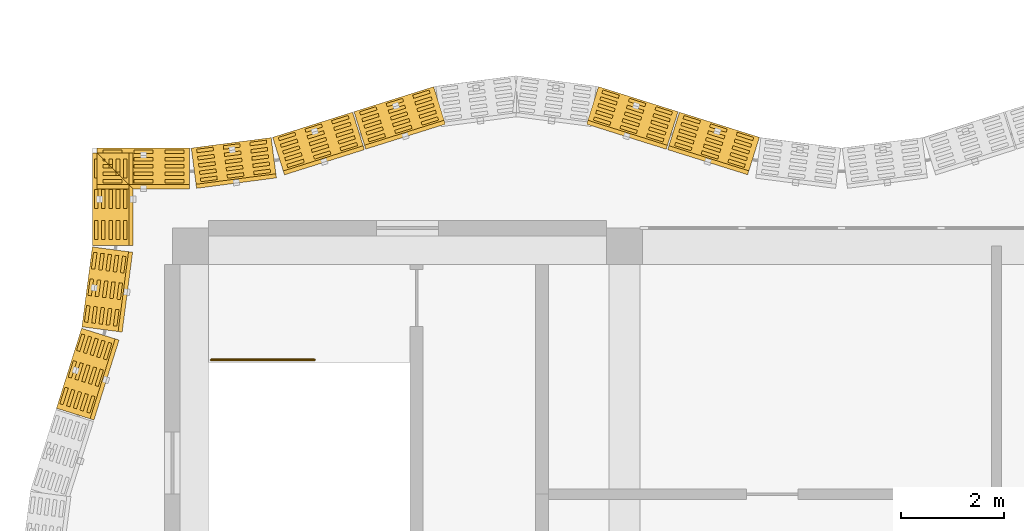
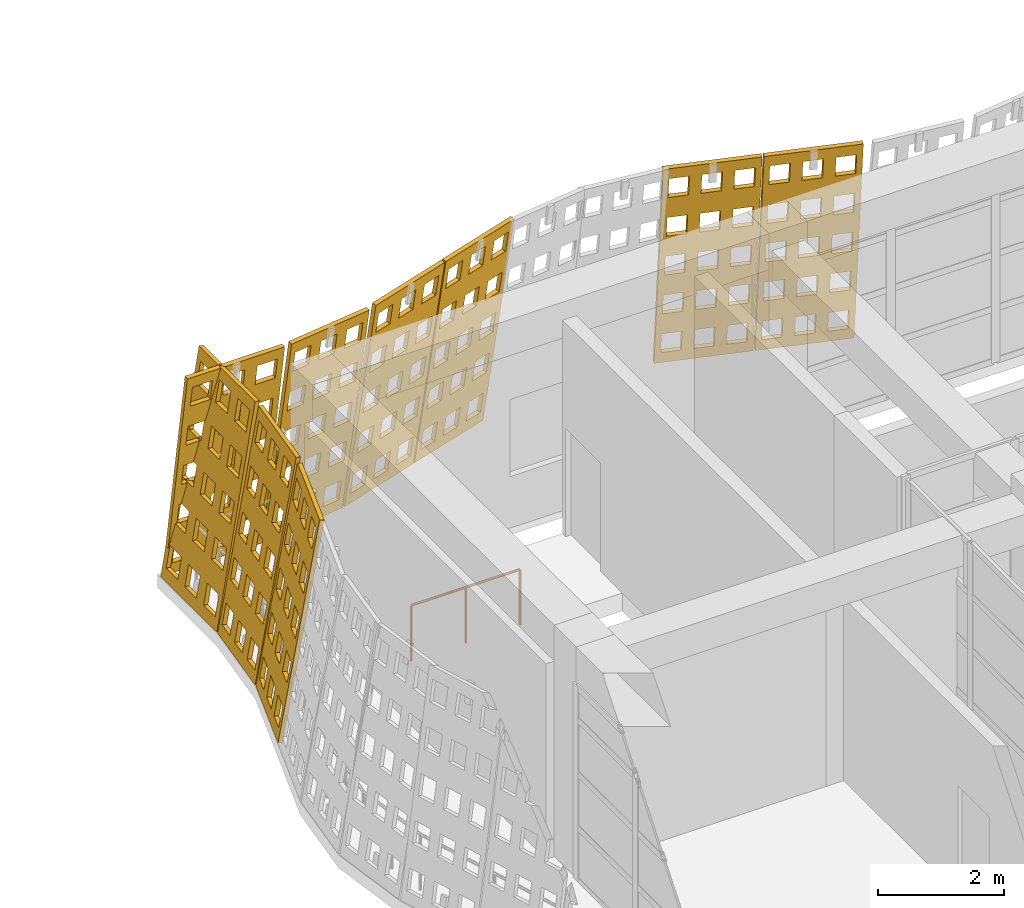
# One storey, part 80 of 85: 9 coverings, 1 railing.
"""IFC4 building model written with IfcOpenShell, lengths in metres."""

from ifc_helpers import new_model, si_unit, direction, frame, origin, origin_2d, place, context, subcontext, project, spatial, polyline, circle, outline, extrude, material, layer, layer_set, type_object, element, save


model = new_model("IFC4")

# Units and contexts
model_context = context("Model", 3, precision=1e-05, world=origin(), true_north=direction((0.0, 1.0)))
body_context = subcontext(model_context, "Body", "Model", "MODEL_VIEW")
ifc_project = project(units=[si_unit("LENGTHUNIT", "METRE"), si_unit("AREAUNIT", "SQUARE_METRE"), si_unit("VOLUMEUNIT", "CUBIC_METRE"), si_unit("PLANEANGLEUNIT", "RADIAN"), si_unit("MASSUNIT", "GRAM", prefix="KILO")], contexts=[model_context])

# Site, building, storey
site_placement = place(None, origin())
site = spatial("IfcSite", under=ifc_project, at=site_placement, CompositionType="ELEMENT")
building_placement = place(site_placement, origin())
building = spatial("IfcBuilding", under=site, at=building_placement, Name="Rain Tree Exposition and Congress Centre", CompositionType="ELEMENT")
storey_placement = place(building_placement, frame((0.0, 0.0, 15.0)))
storey = spatial("IfcBuildingStorey", under=building, at=storey_placement, Name="L03", CompositionType="ELEMENT", Elevation=15.0)

# Coverings
ifc_material_1 = material(Name="Perforated terracotta", Category="masonry")
ifc_layer = layer(ifc_material_1, 0.080078125)
ifc_layer_set = layer_set([ifc_layer], Name="Perforated terracotta")
covering_type = type_object("IfcCoveringType", Name="Terracotta screen 80", PredefinedType="CLADDING", material=ifc_layer_set)
covering_1_placement = place(storey_placement, frame((11.0244140625, 52.50341796875, 0.0126953125), z_axis=(-0.295717964052, -0.942029390639, -0.158529217842), x_axis=(0.954094597562, -0.29950542383, 0.0)))
element("IfcCovering", 1, at=covering_1_placement, inside=storey, type_object=covering_type, Name="wing/screen/L03/094", PredefinedType="CLADDING", context=body_context, shape_type="SweptSolid", body=[
    extrude(outline(polyline([(-1.635986328125, 0.0), (-1.635986328125, 4.291259765625), (-0.014892578125, 4.291259765625), (-0.014892578125, 0.0), (-1.635986328125, 0.0)]), holes=[polyline([(-0.11767578125, 0.221435546875), (-0.11767578125, 0.63671875), (-0.45263671875, 0.63671875), (-0.45263671875, 0.221435546875), (-0.11767578125, 0.221435546875)]), polyline([(-0.11767578125, 1.07958984375), (-0.11767578125, 1.4951171875), (-0.45263671875, 1.4951171875), (-0.45263671875, 1.07958984375), (-0.11767578125, 1.07958984375)]), polyline([(-0.11767578125, 1.93798828125), (-0.11767578125, 2.353271484375), (-0.45263671875, 2.353271484375), (-0.45263671875, 1.93798828125), (-0.11767578125, 1.93798828125)]), polyline([(-0.11767578125, 2.796142578125), (-0.11767578125, 3.21142578125), (-0.45263671875, 3.21142578125), (-0.45263671875, 2.796142578125), (-0.11767578125, 2.796142578125)]), polyline([(-0.11767578125, 3.654541015625), (-0.11767578125, 4.06982421875), (-0.45263671875, 4.06982421875), (-0.45263671875, 3.654541015625), (-0.11767578125, 3.654541015625)]), polyline([(-0.657958984375, 0.221435546875), (-0.657958984375, 0.63671875), (-0.992919921875, 0.63671875), (-0.992919921875, 0.221435546875), (-0.657958984375, 0.221435546875)]), polyline([(-0.657958984375, 1.07958984375), (-0.657958984375, 1.4951171875), (-0.992919921875, 1.4951171875), (-0.992919921875, 1.07958984375), (-0.657958984375, 1.07958984375)]), polyline([(-0.657958984375, 1.93798828125), (-0.657958984375, 2.353271484375), (-0.992919921875, 2.353271484375), (-0.992919921875, 1.93798828125), (-0.657958984375, 1.93798828125)]), polyline([(-0.657958984375, 2.796142578125), (-0.657958984375, 3.21142578125), (-0.992919921875, 3.21142578125), (-0.992919921875, 2.796142578125), (-0.657958984375, 2.796142578125)]), polyline([(-0.657958984375, 3.654541015625), (-0.657958984375, 4.06982421875), (-0.992919921875, 4.06982421875), (-0.992919921875, 3.654541015625), (-0.657958984375, 3.654541015625)]), polyline([(-1.1982421875, 0.221435546875), (-1.1982421875, 0.63671875), (-1.533203125, 0.63671875), (-1.533203125, 0.221435546875), (-1.1982421875, 0.221435546875)]), polyline([(-1.1982421875, 1.07958984375), (-1.1982421875, 1.4951171875), (-1.533203125, 1.4951171875), (-1.533203125, 1.07958984375), (-1.1982421875, 1.07958984375)]), polyline([(-1.1982421875, 1.93798828125), (-1.1982421875, 2.353271484375), (-1.533203125, 2.353271484375), (-1.533203125, 1.93798828125), (-1.1982421875, 1.93798828125)]), polyline([(-1.1982421875, 2.796142578125), (-1.1982421875, 3.21142578125), (-1.533203125, 3.21142578125), (-1.533203125, 2.796142578125), (-1.1982421875, 2.796142578125)]), polyline([(-1.1982421875, 3.654541015625), (-1.1982421875, 4.06982421875), (-1.533203125, 4.06982421875), (-1.533203125, 3.654541015625), (-1.1982421875, 3.654541015625)])]), origin(), (0.0, 0.0, 1.0), 0.080078125),
])
covering_2_placement = place(storey_placement, frame((9.449462890625, 52.998291015625, 0.0126953125), z_axis=(-0.296569528658, -0.941684688936, -0.158985726703), x_axis=(0.953816392794, -0.300390227601, 0.0)))
element("IfcCovering", 2, at=covering_2_placement, inside=storey, type_object=covering_type, Name="wing/screen/L03/095", PredefinedType="CLADDING", context=body_context, shape_type="SweptSolid", body=[
    extrude(outline(polyline([(-1.62890625, 0.0), (-1.62890625, 4.291259765625), (-0.014892578125, 4.291259765625), (-0.014892578125, 0.0), (-1.62890625, 0.0)]), holes=[polyline([(-0.1171875, 0.221435546875), (-0.1171875, 0.63671875), (-0.45068359375, 0.63671875), (-0.45068359375, 0.221435546875), (-0.1171875, 0.221435546875)]), polyline([(-0.1171875, 1.07958984375), (-0.1171875, 1.4951171875), (-0.45068359375, 1.4951171875), (-0.45068359375, 1.07958984375), (-0.1171875, 1.07958984375)]), polyline([(-0.1171875, 1.93798828125), (-0.1171875, 2.353271484375), (-0.45068359375, 2.353271484375), (-0.45068359375, 1.93798828125), (-0.1171875, 1.93798828125)]), polyline([(-0.1171875, 2.796142578125), (-0.1171875, 3.21142578125), (-0.45068359375, 3.21142578125), (-0.45068359375, 2.796142578125), (-0.1171875, 2.796142578125)]), polyline([(-0.1171875, 3.654541015625), (-0.1171875, 4.06982421875), (-0.45068359375, 4.06982421875), (-0.45068359375, 3.654541015625), (-0.1171875, 3.654541015625)]), polyline([(-0.6552734375, 0.221435546875), (-0.6552734375, 0.63671875), (-0.98876953125, 0.63671875), (-0.98876953125, 0.221435546875), (-0.6552734375, 0.221435546875)]), polyline([(-0.6552734375, 1.07958984375), (-0.6552734375, 1.4951171875), (-0.98876953125, 1.4951171875), (-0.98876953125, 1.07958984375), (-0.6552734375, 1.07958984375)]), polyline([(-0.6552734375, 1.93798828125), (-0.6552734375, 2.353271484375), (-0.98876953125, 2.353271484375), (-0.98876953125, 1.93798828125), (-0.6552734375, 1.93798828125)]), polyline([(-0.6552734375, 2.796142578125), (-0.6552734375, 3.21142578125), (-0.98876953125, 3.21142578125), (-0.98876953125, 2.796142578125), (-0.6552734375, 2.796142578125)]), polyline([(-0.6552734375, 3.654541015625), (-0.6552734375, 4.06982421875), (-0.98876953125, 4.06982421875), (-0.98876953125, 3.654541015625), (-0.6552734375, 3.654541015625)]), polyline([(-1.193115234375, 0.221435546875), (-1.193115234375, 0.63671875), (-1.526611328125, 0.63671875), (-1.526611328125, 0.221435546875), (-1.193115234375, 0.221435546875)]), polyline([(-1.193115234375, 1.07958984375), (-1.193115234375, 1.4951171875), (-1.526611328125, 1.4951171875), (-1.526611328125, 1.07958984375), (-1.193115234375, 1.07958984375)]), polyline([(-1.193115234375, 1.93798828125), (-1.193115234375, 2.353271484375), (-1.526611328125, 2.353271484375), (-1.526611328125, 1.93798828125), (-1.193115234375, 1.93798828125)]), polyline([(-1.193115234375, 2.796142578125), (-1.193115234375, 3.21142578125), (-1.526611328125, 3.21142578125), (-1.526611328125, 2.796142578125), (-1.193115234375, 2.796142578125)]), polyline([(-1.193115234375, 3.654541015625), (-1.193115234375, 4.06982421875), (-1.526611328125, 4.06982421875), (-1.526611328125, 3.654541015625), (-1.193115234375, 3.654541015625)])]), origin(), (0.0, 0.0, 1.0), 0.079833984375),
])
covering_3_placement = place(storey_placement, frame((4.7255859375, 53.493408203125, 0.0126953125), z_axis=(0.295717964052, -0.942029390639, -0.158529217842), x_axis=(0.954094597562, 0.29950542383, 0.0)))
element("IfcCovering", 3, at=covering_3_placement, inside=storey, type_object=covering_type, Name="wing/screen/L03/098", PredefinedType="CLADDING", context=body_context, shape_type="SweptSolid", body=[
    extrude(outline(polyline([(-1.635986328125, 0.0), (-1.635986328125, 4.291259765625), (-0.02197265625, 4.291259765625), (-0.02197265625, 0.0), (-1.635986328125, 0.0)]), holes=[polyline([(-0.124267578125, 0.221435546875), (-0.124267578125, 0.63671875), (-0.457763671875, 0.63671875), (-0.457763671875, 0.221435546875), (-0.124267578125, 0.221435546875)]), polyline([(-0.124267578125, 1.07958984375), (-0.124267578125, 1.4951171875), (-0.457763671875, 1.4951171875), (-0.457763671875, 1.07958984375), (-0.124267578125, 1.07958984375)]), polyline([(-0.124267578125, 1.93798828125), (-0.124267578125, 2.353271484375), (-0.457763671875, 2.353271484375), (-0.457763671875, 1.93798828125), (-0.124267578125, 1.93798828125)]), polyline([(-0.124267578125, 2.796142578125), (-0.124267578125, 3.21142578125), (-0.457763671875, 3.21142578125), (-0.457763671875, 2.796142578125), (-0.124267578125, 2.796142578125)]), polyline([(-0.124267578125, 3.654541015625), (-0.124267578125, 4.06982421875), (-0.457763671875, 4.06982421875), (-0.457763671875, 3.654541015625), (-0.124267578125, 3.654541015625)]), polyline([(-0.662109375, 0.221435546875), (-0.662109375, 0.63671875), (-0.995849609375, 0.63671875), (-0.995849609375, 0.221435546875), (-0.662109375, 0.221435546875)]), polyline([(-0.662109375, 1.07958984375), (-0.662109375, 1.4951171875), (-0.995849609375, 1.4951171875), (-0.995849609375, 1.07958984375), (-0.662109375, 1.07958984375)]), polyline([(-0.662109375, 1.93798828125), (-0.662109375, 2.353271484375), (-0.995849609375, 2.353271484375), (-0.995849609375, 1.93798828125), (-0.662109375, 1.93798828125)]), polyline([(-0.662109375, 2.796142578125), (-0.662109375, 3.21142578125), (-0.995849609375, 3.21142578125), (-0.995849609375, 2.796142578125), (-0.662109375, 2.796142578125)]), polyline([(-0.662109375, 3.654541015625), (-0.662109375, 4.06982421875), (-0.995849609375, 4.06982421875), (-0.995849609375, 3.654541015625), (-0.662109375, 3.654541015625)]), polyline([(-1.2001953125, 0.221435546875), (-1.2001953125, 0.63671875), (-1.53369140625, 0.63671875), (-1.53369140625, 0.221435546875), (-1.2001953125, 0.221435546875)]), polyline([(-1.2001953125, 1.07958984375), (-1.2001953125, 1.4951171875), (-1.53369140625, 1.4951171875), (-1.53369140625, 1.07958984375), (-1.2001953125, 1.07958984375)]), polyline([(-1.2001953125, 1.93798828125), (-1.2001953125, 2.353271484375), (-1.53369140625, 2.353271484375), (-1.53369140625, 1.93798828125), (-1.2001953125, 1.93798828125)]), polyline([(-1.2001953125, 2.796142578125), (-1.2001953125, 3.21142578125), (-1.53369140625, 3.21142578125), (-1.53369140625, 2.796142578125), (-1.2001953125, 2.796142578125)]), polyline([(-1.2001953125, 3.654541015625), (-1.2001953125, 4.06982421875), (-1.53369140625, 4.06982421875), (-1.53369140625, 3.654541015625), (-1.2001953125, 3.654541015625)])]), origin(), (0.0, 0.0, 1.0), 0.080078125),
])
covering_4_placement = place(storey_placement, frame((3.150634765625, 52.998291015625, 0.0126953125), z_axis=(0.296569528658, -0.941684688936, -0.158985726703), x_axis=(0.953816392794, 0.300390227601, 0.0)))
element("IfcCovering", 4, at=covering_4_placement, inside=storey, type_object=covering_type, Name="wing/screen/L03/099", PredefinedType="CLADDING", context=body_context, shape_type="SweptSolid", body=[
    extrude(outline(polyline([(-1.635986328125, 0.0), (-1.635986328125, 4.291259765625), (-0.014892578125, 4.291259765625), (-0.014892578125, 0.0), (-1.635986328125, 0.0)]), holes=[polyline([(-0.11767578125, 0.221435546875), (-0.11767578125, 0.63671875), (-0.45263671875, 0.63671875), (-0.45263671875, 0.221435546875), (-0.11767578125, 0.221435546875)]), polyline([(-0.11767578125, 1.07958984375), (-0.11767578125, 1.4951171875), (-0.45263671875, 1.4951171875), (-0.45263671875, 1.07958984375), (-0.11767578125, 1.07958984375)]), polyline([(-0.11767578125, 1.93798828125), (-0.11767578125, 2.353271484375), (-0.45263671875, 2.353271484375), (-0.45263671875, 1.93798828125), (-0.11767578125, 1.93798828125)]), polyline([(-0.11767578125, 2.796142578125), (-0.11767578125, 3.21142578125), (-0.45263671875, 3.21142578125), (-0.45263671875, 2.796142578125), (-0.11767578125, 2.796142578125)]), polyline([(-0.11767578125, 3.654541015625), (-0.11767578125, 4.06982421875), (-0.45263671875, 4.06982421875), (-0.45263671875, 3.654541015625), (-0.11767578125, 3.654541015625)]), polyline([(-0.657958984375, 0.221435546875), (-0.657958984375, 0.63671875), (-0.992919921875, 0.63671875), (-0.992919921875, 0.221435546875), (-0.657958984375, 0.221435546875)]), polyline([(-0.657958984375, 1.07958984375), (-0.657958984375, 1.4951171875), (-0.992919921875, 1.4951171875), (-0.992919921875, 1.07958984375), (-0.657958984375, 1.07958984375)]), polyline([(-0.657958984375, 1.93798828125), (-0.657958984375, 2.353271484375), (-0.992919921875, 2.353271484375), (-0.992919921875, 1.93798828125), (-0.657958984375, 1.93798828125)]), polyline([(-0.657958984375, 2.796142578125), (-0.657958984375, 3.21142578125), (-0.992919921875, 3.21142578125), (-0.992919921875, 2.796142578125), (-0.657958984375, 2.796142578125)]), polyline([(-0.657958984375, 3.654541015625), (-0.657958984375, 4.06982421875), (-0.992919921875, 4.06982421875), (-0.992919921875, 3.654541015625), (-0.657958984375, 3.654541015625)]), polyline([(-1.1982421875, 0.221435546875), (-1.1982421875, 0.63671875), (-1.533203125, 0.63671875), (-1.533203125, 0.221435546875), (-1.1982421875, 0.221435546875)]), polyline([(-1.1982421875, 1.07958984375), (-1.1982421875, 1.4951171875), (-1.533203125, 1.4951171875), (-1.533203125, 1.07958984375), (-1.1982421875, 1.07958984375)]), polyline([(-1.1982421875, 1.93798828125), (-1.1982421875, 2.353271484375), (-1.533203125, 2.353271484375), (-1.533203125, 1.93798828125), (-1.1982421875, 1.93798828125)]), polyline([(-1.1982421875, 2.796142578125), (-1.1982421875, 3.21142578125), (-1.533203125, 3.21142578125), (-1.533203125, 2.796142578125), (-1.1982421875, 2.796142578125)]), polyline([(-1.1982421875, 3.654541015625), (-1.1982421875, 4.06982421875), (-1.533203125, 4.06982421875), (-1.533203125, 3.654541015625), (-1.1982421875, 3.654541015625)])]), origin(), (0.0, 0.0, 1.0), 0.079833984375),
])
covering_5_placement = place(storey_placement, frame((1.5751953125, 52.503173828125, 0.01318359375), z_axis=(0.127967328105, -0.978036007662, -0.16452942185), x_axis=(0.991548658387, 0.129735338481, 0.0)))
element("IfcCovering", 5, at=covering_5_placement, inside=storey, type_object=covering_type, Name="wing/screen/L03/100", PredefinedType="CLADDING", context=body_context, shape_type="SweptSolid", body=[
    extrude(outline(polyline([(-1.5732421875, 0.0), (-1.5732421875, 4.295166015625), (-0.014892578125, 4.295166015625), (-0.014892578125, 0.0), (-1.5732421875, 0.0)]), holes=[polyline([(-0.11376953125, 0.2216796875), (-0.11376953125, 0.63720703125), (-0.435791015625, 0.63720703125), (-0.435791015625, 0.2216796875), (-0.11376953125, 0.2216796875)]), polyline([(-0.11376953125, 1.080810546875), (-0.11376953125, 1.496337890625), (-0.435791015625, 1.496337890625), (-0.435791015625, 1.080810546875), (-0.11376953125, 1.080810546875)]), polyline([(-0.11376953125, 1.939697265625), (-0.11376953125, 2.35546875), (-0.435791015625, 2.35546875), (-0.435791015625, 1.939697265625), (-0.11376953125, 1.939697265625)]), polyline([(-0.11376953125, 2.798583984375), (-0.11376953125, 3.21435546875), (-0.435791015625, 3.21435546875), (-0.435791015625, 2.798583984375), (-0.11376953125, 2.798583984375)]), polyline([(-0.11376953125, 3.65771484375), (-0.11376953125, 4.073486328125), (-0.435791015625, 4.073486328125), (-0.435791015625, 3.65771484375), (-0.11376953125, 3.65771484375)]), polyline([(-0.633056640625, 0.2216796875), (-0.633056640625, 0.63720703125), (-0.955078125, 0.63720703125), (-0.955078125, 0.2216796875), (-0.633056640625, 0.2216796875)]), polyline([(-0.633056640625, 1.080810546875), (-0.633056640625, 1.496337890625), (-0.955078125, 1.496337890625), (-0.955078125, 1.080810546875), (-0.633056640625, 1.080810546875)]), polyline([(-0.633056640625, 1.939697265625), (-0.633056640625, 2.35546875), (-0.955078125, 2.35546875), (-0.955078125, 1.939697265625), (-0.633056640625, 1.939697265625)]), polyline([(-0.633056640625, 2.798583984375), (-0.633056640625, 3.21435546875), (-0.955078125, 3.21435546875), (-0.955078125, 2.798583984375), (-0.633056640625, 2.798583984375)]), polyline([(-0.633056640625, 3.65771484375), (-0.633056640625, 4.073486328125), (-0.955078125, 4.073486328125), (-0.955078125, 3.65771484375), (-0.633056640625, 3.65771484375)]), polyline([(-1.152587890625, 0.2216796875), (-1.152587890625, 0.63720703125), (-1.474609375, 0.63720703125), (-1.474609375, 0.2216796875), (-1.152587890625, 0.2216796875)]), polyline([(-1.152587890625, 1.080810546875), (-1.152587890625, 1.496337890625), (-1.474609375, 1.496337890625), (-1.474609375, 1.080810546875), (-1.152587890625, 1.080810546875)]), polyline([(-1.152587890625, 1.939697265625), (-1.152587890625, 2.35546875), (-1.474609375, 2.35546875), (-1.474609375, 1.939697265625), (-1.152587890625, 1.939697265625)]), polyline([(-1.152587890625, 2.798583984375), (-1.152587890625, 3.21435546875), (-1.474609375, 3.21435546875), (-1.474609375, 2.798583984375), (-1.152587890625, 2.798583984375)]), polyline([(-1.152587890625, 3.65771484375), (-1.152587890625, 4.073486328125), (-1.474609375, 4.073486328125), (-1.474609375, 3.65771484375), (-1.152587890625, 3.65771484375)])]), origin(), (0.0, 0.0, 1.0), 0.080078125),
])
covering_6_placement = place(storey_placement, frame((0.0, 52.298095703125, 0.01318359375), z_axis=(0.0, -0.986311269939, -0.1648941442), x_axis=(1.0, 0.0, 0.0)))
element("IfcCovering", 6, at=covering_6_placement, inside=storey, type_object=covering_type, Name="wing/screen/L03/101", PredefinedType="CLADDING", context=body_context, shape_type="SweptSolid", body=[
    extrude(outline(polyline([(-1.805419921875, 0.0), (-1.805419921875, 4.2958984375), (-0.014892578125, 4.2958984375), (-0.014892578125, 0.0), (-1.805419921875, 0.0)]), holes=[polyline([(-0.12841796875, 0.2216796875), (-0.12841796875, 0.637451171875), (-0.498291015625, 0.637451171875), (-0.498291015625, 0.2216796875), (-0.12841796875, 0.2216796875)]), polyline([(-0.12841796875, 1.080810546875), (-0.12841796875, 1.49658203125), (-0.498291015625, 1.49658203125), (-0.498291015625, 1.080810546875), (-0.12841796875, 1.080810546875)]), polyline([(-0.12841796875, 1.940185546875), (-0.12841796875, 2.355712890625), (-0.498291015625, 2.355712890625), (-0.498291015625, 1.940185546875), (-0.12841796875, 1.940185546875)]), polyline([(-0.12841796875, 2.79931640625), (-0.12841796875, 3.215087890625), (-0.498291015625, 3.215087890625), (-0.498291015625, 2.79931640625), (-0.12841796875, 2.79931640625)]), polyline([(-0.12841796875, 3.658447265625), (-0.12841796875, 4.07421875), (-0.498291015625, 4.07421875), (-0.498291015625, 3.658447265625), (-0.12841796875, 3.658447265625)]), polyline([(-0.72509765625, 0.2216796875), (-0.72509765625, 0.637451171875), (-1.09521484375, 0.637451171875), (-1.09521484375, 0.2216796875), (-0.72509765625, 0.2216796875)]), polyline([(-0.72509765625, 1.080810546875), (-0.72509765625, 1.49658203125), (-1.09521484375, 1.49658203125), (-1.09521484375, 1.080810546875), (-0.72509765625, 1.080810546875)]), polyline([(-0.72509765625, 1.940185546875), (-0.72509765625, 2.355712890625), (-1.09521484375, 2.355712890625), (-1.09521484375, 1.940185546875), (-0.72509765625, 1.940185546875)]), polyline([(-0.72509765625, 2.79931640625), (-0.72509765625, 3.215087890625), (-1.09521484375, 3.215087890625), (-1.09521484375, 2.79931640625), (-0.72509765625, 2.79931640625)]), polyline([(-0.72509765625, 3.658447265625), (-0.72509765625, 4.07421875), (-1.09521484375, 4.07421875), (-1.09521484375, 3.658447265625), (-0.72509765625, 3.658447265625)]), polyline([(-1.322021484375, 0.2216796875), (-1.322021484375, 0.637451171875), (-1.69189453125, 0.637451171875), (-1.69189453125, 0.2216796875), (-1.322021484375, 0.2216796875)]), polyline([(-1.322021484375, 1.080810546875), (-1.322021484375, 1.49658203125), (-1.69189453125, 1.49658203125), (-1.69189453125, 1.080810546875), (-1.322021484375, 1.080810546875)]), polyline([(-1.322021484375, 1.940185546875), (-1.322021484375, 2.355712890625), (-1.69189453125, 2.355712890625), (-1.69189453125, 1.940185546875), (-1.322021484375, 1.940185546875)]), polyline([(-1.322021484375, 2.79931640625), (-1.322021484375, 3.215087890625), (-1.69189453125, 3.215087890625), (-1.69189453125, 2.79931640625), (-1.322021484375, 2.79931640625)]), polyline([(-1.322021484375, 3.658447265625), (-1.322021484375, 4.07421875), (-1.69189453125, 4.07421875), (-1.69189453125, 3.658447265625), (-1.322021484375, 3.658447265625)])]), origin(), (0.0, 0.0, 1.0), 0.079833984375),
])
covering_7_placement = place(storey_placement, frame((-1.898193359375, 52.30029296875, 0.01318359375), z_axis=(0.986393923832, 0.0, -0.164398987305), x_axis=(0.0, 1.0, 0.0)))
element("IfcCovering", 7, at=covering_7_placement, inside=storey, type_object=covering_type, Name="wing/screen/L03/102", PredefinedType="CLADDING", context=body_context, shape_type="SweptSolid", body=[
    extrude(outline(polyline([(-1.88525390625, 0.0), (-1.88525390625, 4.2958984375), (-0.094970703125, 4.2958984375), (-0.094970703125, 0.0), (-1.88525390625, 0.0)]), holes=[polyline([(-0.20849609375, 0.2216796875), (-0.20849609375, 0.637451171875), (-0.578369140625, 0.637451171875), (-0.578369140625, 0.2216796875), (-0.20849609375, 0.2216796875)]), polyline([(-0.20849609375, 1.080810546875), (-0.20849609375, 1.49658203125), (-0.578369140625, 1.49658203125), (-0.578369140625, 1.080810546875), (-0.20849609375, 1.080810546875)]), polyline([(-0.20849609375, 1.940185546875), (-0.20849609375, 2.355712890625), (-0.578369140625, 2.355712890625), (-0.578369140625, 1.940185546875), (-0.20849609375, 1.940185546875)]), polyline([(-0.20849609375, 2.79931640625), (-0.20849609375, 3.215087890625), (-0.578369140625, 3.215087890625), (-0.578369140625, 2.79931640625), (-0.20849609375, 2.79931640625)]), polyline([(-0.20849609375, 3.658447265625), (-0.20849609375, 4.07421875), (-0.578369140625, 4.07421875), (-0.578369140625, 3.658447265625), (-0.20849609375, 3.658447265625)]), polyline([(-0.80517578125, 0.2216796875), (-0.80517578125, 0.637451171875), (-1.175048828125, 0.637451171875), (-1.175048828125, 0.2216796875), (-0.80517578125, 0.2216796875)]), polyline([(-0.80517578125, 1.080810546875), (-0.80517578125, 1.49658203125), (-1.175048828125, 1.49658203125), (-1.175048828125, 1.080810546875), (-0.80517578125, 1.080810546875)]), polyline([(-0.80517578125, 1.940185546875), (-0.80517578125, 2.355712890625), (-1.175048828125, 2.355712890625), (-1.175048828125, 1.940185546875), (-0.80517578125, 1.940185546875)]), polyline([(-0.80517578125, 2.79931640625), (-0.80517578125, 3.215087890625), (-1.175048828125, 3.215087890625), (-1.175048828125, 2.79931640625), (-0.80517578125, 2.79931640625)]), polyline([(-0.80517578125, 3.658447265625), (-0.80517578125, 4.07421875), (-1.175048828125, 4.07421875), (-1.175048828125, 3.658447265625), (-0.80517578125, 3.658447265625)]), polyline([(-1.40185546875, 0.2216796875), (-1.40185546875, 0.637451171875), (-1.77197265625, 0.637451171875), (-1.77197265625, 0.2216796875), (-1.40185546875, 0.2216796875)]), polyline([(-1.40185546875, 1.080810546875), (-1.40185546875, 1.49658203125), (-1.77197265625, 1.49658203125), (-1.77197265625, 1.080810546875), (-1.40185546875, 1.080810546875)]), polyline([(-1.40185546875, 1.940185546875), (-1.40185546875, 2.355712890625), (-1.77197265625, 2.355712890625), (-1.77197265625, 1.940185546875), (-1.40185546875, 1.940185546875)]), polyline([(-1.40185546875, 2.79931640625), (-1.40185546875, 3.215087890625), (-1.77197265625, 3.215087890625), (-1.77197265625, 2.79931640625), (-1.40185546875, 2.79931640625)]), polyline([(-1.40185546875, 3.658447265625), (-1.40185546875, 4.07421875), (-1.77197265625, 4.07421875), (-1.77197265625, 3.658447265625), (-1.40185546875, 3.658447265625)])]), origin(), (0.0, 0.0, 1.0), 0.080078125),
])
covering_8_placement = place(storey_placement, frame((-1.898193359375, 50.399658203125, 0.01318359375), z_axis=(0.978036007662, -0.127967328105, -0.16452942185), x_axis=(0.129735338481, 0.991548658387, 0.0)))
element("IfcCovering", 8, at=covering_8_placement, inside=storey, type_object=covering_type, Name="wing/screen/L03/103", PredefinedType="CLADDING", context=body_context, shape_type="SweptSolid", body=[
    extrude(outline(polyline([(-1.5732421875, 0.0), (-1.5732421875, 4.295166015625), (-0.014892578125, 4.295166015625), (-0.014892578125, 0.0), (-1.5732421875, 0.0)]), holes=[polyline([(-0.11376953125, 0.2216796875), (-0.11376953125, 0.63720703125), (-0.435791015625, 0.63720703125), (-0.435791015625, 0.2216796875), (-0.11376953125, 0.2216796875)]), polyline([(-0.11376953125, 1.080810546875), (-0.11376953125, 1.496337890625), (-0.435791015625, 1.496337890625), (-0.435791015625, 1.080810546875), (-0.11376953125, 1.080810546875)]), polyline([(-0.11376953125, 1.939697265625), (-0.11376953125, 2.35546875), (-0.435791015625, 2.35546875), (-0.435791015625, 1.939697265625), (-0.11376953125, 1.939697265625)]), polyline([(-0.11376953125, 2.798583984375), (-0.11376953125, 3.21435546875), (-0.435791015625, 3.21435546875), (-0.435791015625, 2.798583984375), (-0.11376953125, 2.798583984375)]), polyline([(-0.11376953125, 3.65771484375), (-0.11376953125, 4.073486328125), (-0.435791015625, 4.073486328125), (-0.435791015625, 3.65771484375), (-0.11376953125, 3.65771484375)]), polyline([(-0.633056640625, 0.2216796875), (-0.633056640625, 0.63720703125), (-0.955078125, 0.63720703125), (-0.955078125, 0.2216796875), (-0.633056640625, 0.2216796875)]), polyline([(-0.633056640625, 1.080810546875), (-0.633056640625, 1.496337890625), (-0.955078125, 1.496337890625), (-0.955078125, 1.080810546875), (-0.633056640625, 1.080810546875)]), polyline([(-0.633056640625, 1.939697265625), (-0.633056640625, 2.35546875), (-0.955078125, 2.35546875), (-0.955078125, 1.939697265625), (-0.633056640625, 1.939697265625)]), polyline([(-0.633056640625, 2.798583984375), (-0.633056640625, 3.21435546875), (-0.955078125, 3.21435546875), (-0.955078125, 2.798583984375), (-0.633056640625, 2.798583984375)]), polyline([(-0.633056640625, 3.65771484375), (-0.633056640625, 4.073486328125), (-0.955078125, 4.073486328125), (-0.955078125, 3.65771484375), (-0.633056640625, 3.65771484375)]), polyline([(-1.152587890625, 0.2216796875), (-1.152587890625, 0.63720703125), (-1.474609375, 0.63720703125), (-1.474609375, 0.2216796875), (-1.152587890625, 0.2216796875)]), polyline([(-1.152587890625, 1.080810546875), (-1.152587890625, 1.496337890625), (-1.474609375, 1.496337890625), (-1.474609375, 1.080810546875), (-1.152587890625, 1.080810546875)]), polyline([(-1.152587890625, 1.939697265625), (-1.152587890625, 2.35546875), (-1.474609375, 2.35546875), (-1.474609375, 1.939697265625), (-1.152587890625, 1.939697265625)]), polyline([(-1.152587890625, 2.798583984375), (-1.152587890625, 3.21435546875), (-1.474609375, 3.21435546875), (-1.474609375, 2.798583984375), (-1.152587890625, 2.798583984375)]), polyline([(-1.152587890625, 3.65771484375), (-1.152587890625, 4.073486328125), (-1.474609375, 4.073486328125), (-1.474609375, 3.65771484375), (-1.152587890625, 3.65771484375)])]), origin(), (0.0, 0.0, 1.0), 0.080078125),
])
covering_9_placement = place(storey_placement, frame((-2.103515625, 48.824462890625, 0.0126953125), z_axis=(0.942029390639, -0.295717964052, -0.158529217842), x_axis=(0.29950542383, 0.954094597562, 0.0)))
element("IfcCovering", 9, at=covering_9_placement, inside=storey, type_object=covering_type, Name="wing/screen/L03/104", PredefinedType="CLADDING", context=body_context, shape_type="SweptSolid", body=[
    extrude(outline(polyline([(-1.635986328125, 0.0), (-1.635986328125, 4.291259765625), (-0.014892578125, 4.291259765625), (-0.014892578125, 0.0), (-1.635986328125, 0.0)]), holes=[polyline([(-0.11767578125, 0.221435546875), (-0.11767578125, 0.63671875), (-0.45263671875, 0.63671875), (-0.45263671875, 0.221435546875), (-0.11767578125, 0.221435546875)]), polyline([(-0.11767578125, 1.07958984375), (-0.11767578125, 1.4951171875), (-0.45263671875, 1.4951171875), (-0.45263671875, 1.07958984375), (-0.11767578125, 1.07958984375)]), polyline([(-0.11767578125, 1.93798828125), (-0.11767578125, 2.353271484375), (-0.45263671875, 2.353271484375), (-0.45263671875, 1.93798828125), (-0.11767578125, 1.93798828125)]), polyline([(-0.11767578125, 2.796142578125), (-0.11767578125, 3.21142578125), (-0.45263671875, 3.21142578125), (-0.45263671875, 2.796142578125), (-0.11767578125, 2.796142578125)]), polyline([(-0.11767578125, 3.654541015625), (-0.11767578125, 4.06982421875), (-0.45263671875, 4.06982421875), (-0.45263671875, 3.654541015625), (-0.11767578125, 3.654541015625)]), polyline([(-0.657958984375, 0.221435546875), (-0.657958984375, 0.63671875), (-0.992919921875, 0.63671875), (-0.992919921875, 0.221435546875), (-0.657958984375, 0.221435546875)]), polyline([(-0.657958984375, 1.07958984375), (-0.657958984375, 1.4951171875), (-0.992919921875, 1.4951171875), (-0.992919921875, 1.07958984375), (-0.657958984375, 1.07958984375)]), polyline([(-0.657958984375, 1.93798828125), (-0.657958984375, 2.353271484375), (-0.992919921875, 2.353271484375), (-0.992919921875, 1.93798828125), (-0.657958984375, 1.93798828125)]), polyline([(-0.657958984375, 2.796142578125), (-0.657958984375, 3.21142578125), (-0.992919921875, 3.21142578125), (-0.992919921875, 2.796142578125), (-0.657958984375, 2.796142578125)]), polyline([(-0.657958984375, 3.654541015625), (-0.657958984375, 4.06982421875), (-0.992919921875, 4.06982421875), (-0.992919921875, 3.654541015625), (-0.657958984375, 3.654541015625)]), polyline([(-1.1982421875, 0.221435546875), (-1.1982421875, 0.63671875), (-1.533203125, 0.63671875), (-1.533203125, 0.221435546875), (-1.1982421875, 0.221435546875)]), polyline([(-1.1982421875, 1.07958984375), (-1.1982421875, 1.4951171875), (-1.533203125, 1.4951171875), (-1.533203125, 1.07958984375), (-1.1982421875, 1.07958984375)]), polyline([(-1.1982421875, 1.93798828125), (-1.1982421875, 2.353271484375), (-1.533203125, 2.353271484375), (-1.533203125, 1.93798828125), (-1.1982421875, 1.93798828125)]), polyline([(-1.1982421875, 2.796142578125), (-1.1982421875, 3.21142578125), (-1.533203125, 3.21142578125), (-1.533203125, 2.796142578125), (-1.1982421875, 2.796142578125)]), polyline([(-1.1982421875, 3.654541015625), (-1.1982421875, 4.06982421875), (-1.533203125, 4.06982421875), (-1.533203125, 3.654541015625), (-1.1982421875, 3.654541015625)])]), origin(), (0.0, 0.0, 1.0), 0.080078125),
])

# Railing
ifc_material_2 = material(Name="Steel S355J2H", Category="steel")
railing_type = type_object("IfcRailingType", Name="Wing stair guard 1100", PredefinedType="GUARDRAIL", material=ifc_material_2)
railing_placement = place(storey_placement, frame((0.39990234375, 48.199951171875, 0.0)))
element("IfcRailing", 10, at=railing_placement, inside=storey, type_object=railing_type, Name="L03 ST-W3 top well guard 1", PredefinedType="GUARDRAIL", context=body_context, shape_type="SweptSolid", body=[
    extrude(circle(Radius=0.02392578125, at=origin_2d()), frame((0.0, 0.0, 1.076171875), z_axis=(1.0, 0.0, 0.0), x_axis=(0.0, 1.0, 0.0)), (0.0, 0.0, 1.0), 2.0),
    extrude(circle(Radius=0.02099609375, at=origin_2d()), origin(), (0.0, 0.0, 1.0), 1.052001953125),
    extrude(circle(Radius=0.02099609375, at=origin_2d()), frame((1.0, 0.0, 0.0)), (0.0, 0.0, 1.0), 1.052001953125),
    extrude(circle(Radius=0.02099609375, at=origin_2d()), frame((2.0, 0.0, 0.0)), (0.0, 0.0, 1.0), 1.052001953125),
])

save(model, "model.ifc")
